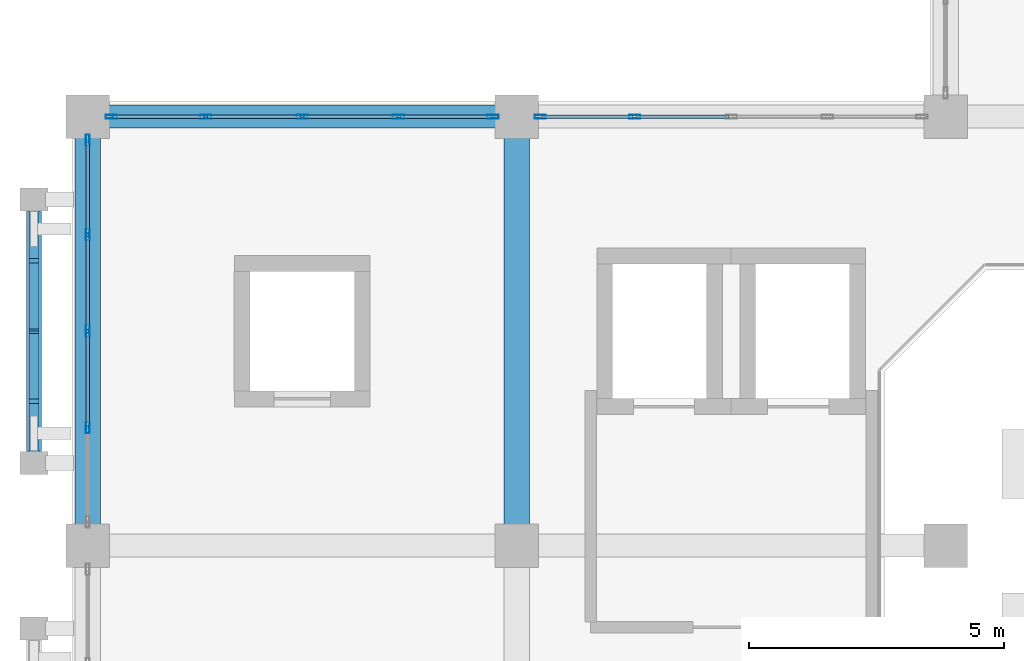
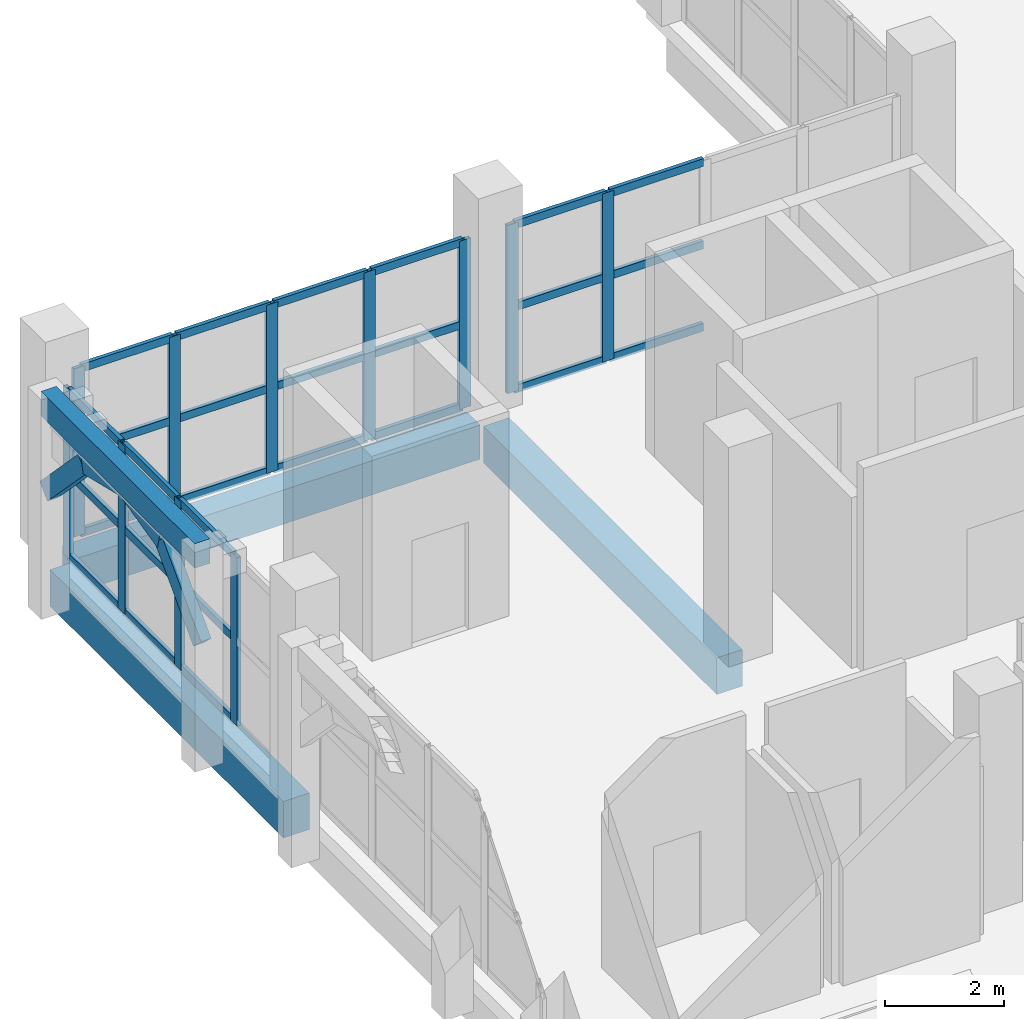
# One storey, part 56 of 137: 42 members, 4 beams, 3 elements without a shape of their own.
"""IFC4 building model written with IfcOpenShell, lengths in metres."""

from ifc_helpers import new_model, si_unit, direction, frame, origin, origin_2d, place, context, subcontext, project, spatial, rectangle, hollow_rectangle, extrude, material, layer, layer_set, material_profile, profile_set, type_object, element, aggregate, save


model = new_model("IFC4")

# Units and contexts
model_context = context("Model", 3, precision=1e-05, world=origin(), true_north=direction((0.0, 1.0)))
body_context = subcontext(model_context, "Body", "Model", "MODEL_VIEW")
ifc_project = project(units=[si_unit("LENGTHUNIT", "METRE"), si_unit("AREAUNIT", "SQUARE_METRE"), si_unit("VOLUMEUNIT", "CUBIC_METRE"), si_unit("PLANEANGLEUNIT", "RADIAN"), si_unit("MASSUNIT", "GRAM", prefix="KILO")], contexts=[model_context])

# Site, building, storey
site_placement = place(None, origin())
site = spatial("IfcSite", under=ifc_project, at=site_placement, CompositionType="ELEMENT")
building_placement = place(site_placement, origin())
building = spatial("IfcBuilding", under=site, at=building_placement, Name="Xazarin Passage Department Store", CompositionType="ELEMENT")
storey_placement = place(building_placement, frame((0.0, 0.0, 5.39990234375)))
storey = spatial("IfcBuildingStorey", under=building, at=storey_placement, Name="L01", CompositionType="ELEMENT", Elevation=5.39990234375)

# Curtain wall, members
ifc_material_1 = material(Name="Bronze anodised aluminium", Category="aluminium")
ifc_layer = layer(ifc_material_1, 0.179931640625)
ifc_layer_set = layer_set([ifc_layer], Name="Bronze anodised aluminium")
curtain_wall_type = type_object("IfcCurtainWallType", Name="ARC-CW-VIT1", PredefinedType="NOTDEFINED", material=ifc_layer_set)
curtain_wall_1_placement = place(storey_placement, origin())
curtain_wall_1 = element("IfcCurtainWall", 1, at=curtain_wall_1_placement, inside=storey, type_object=curtain_wall_type, Name="L01 V1 Curtain Wall 012", PredefinedType="NOTDEFINED")
ifc_material_profile_1 = material_profile(ifc_material_1, hollow_rectangle(XDim=0.074951171875, YDim=0.219970703125, WallThickness=0.0048828125, at=origin_2d()), Name="ALU 75x220")
ifc_profile_set_1 = profile_set([ifc_material_profile_1], Name="Bronze anodised aluminium")
member_type_1 = type_object("IfcMemberType", Name="ARC-CWM-75x220", PredefinedType="MULLION", material=ifc_profile_set_1)
member_1_placement = place(storey_placement, frame((0.46240234375, 101.60009765625, 0.0), z_axis=(0.0, 0.0, 1.0), x_axis=(0.0, 1.0, 0.0)))
member_1 = element("IfcMember", 2, at=member_1_placement, type_object=member_type_1, Name="CW1 mullion 1", PredefinedType="MULLION", context=body_context, shape_type="SweptSolid", body=[
    extrude(hollow_rectangle(XDim=0.074951171875, YDim=0.219970703125, WallThickness=0.0048828125, at=origin_2d()), origin(), (0.0, 0.0, 1.0), 3.4501953125),
])
member_2_placement = place(storey_placement, frame((2.3125, 101.60009765625, 0.0), z_axis=(0.0, 0.0, 1.0), x_axis=(0.0, 1.0, 0.0)))
member_2 = element("IfcMember", 3, at=member_2_placement, type_object=member_type_1, Name="CW1 mullion 2", PredefinedType="MULLION", context=body_context, shape_type="SweptSolid", body=[
    extrude(hollow_rectangle(XDim=0.074951171875, YDim=0.219970703125, WallThickness=0.0048828125, at=origin_2d()), origin(), (0.0, 0.0, 1.0), 3.4501953125),
])
member_3_placement = place(storey_placement, frame((4.199951171875, 101.60009765625, 0.0), z_axis=(0.0, 0.0, 1.0), x_axis=(0.0, 1.0, 0.0)))
member_3 = element("IfcMember", 4, at=member_3_placement, type_object=member_type_1, Name="CW1 mullion 3", PredefinedType="MULLION", context=body_context, shape_type="SweptSolid", body=[
    extrude(hollow_rectangle(XDim=0.074951171875, YDim=0.219970703125, WallThickness=0.0048828125, at=origin_2d()), origin(), (0.0, 0.0, 1.0), 3.4501953125),
])
member_4_placement = place(storey_placement, frame((6.08740234375, 101.60009765625, 0.0), z_axis=(0.0, 0.0, 1.0), x_axis=(0.0, 1.0, 0.0)))
member_4 = element("IfcMember", 5, at=member_4_placement, type_object=member_type_1, Name="CW1 mullion 4", PredefinedType="MULLION", context=body_context, shape_type="SweptSolid", body=[
    extrude(hollow_rectangle(XDim=0.074951171875, YDim=0.219970703125, WallThickness=0.0048828125, at=origin_2d()), origin(), (0.0, 0.0, 1.0), 3.4501953125),
])
member_5_placement = place(storey_placement, frame((7.9375, 101.60009765625, 0.0), z_axis=(0.0, 0.0, 1.0), x_axis=(0.0, 1.0, 0.0)))
member_5 = element("IfcMember", 6, at=member_5_placement, type_object=member_type_1, Name="CW1 mullion 5", PredefinedType="MULLION", context=body_context, shape_type="SweptSolid", body=[
    extrude(hollow_rectangle(XDim=0.074951171875, YDim=0.219970703125, WallThickness=0.0048828125, at=origin_2d()), origin(), (0.0, 0.0, 1.0), 3.4501953125),
])

curtain_wall_2_placement = place(storey_placement, origin())
curtain_wall_2 = element("IfcCurtainWall", 7, at=curtain_wall_2_placement, inside=storey, type_object=curtain_wall_type, Name="L01 V1 Curtain Wall 013", PredefinedType="NOTDEFINED")
member_6_placement = place(storey_placement, frame((8.862548828125, 101.60009765625, 0.0), z_axis=(0.0, 0.0, 1.0), x_axis=(0.0, 1.0, 0.0)))
member_6 = element("IfcMember", 8, at=member_6_placement, type_object=member_type_1, Name="CW1 mullion 1", PredefinedType="MULLION", context=body_context, shape_type="SweptSolid", body=[
    extrude(hollow_rectangle(XDim=0.074951171875, YDim=0.219970703125, WallThickness=0.0048828125, at=origin_2d()), origin(), (0.0, 0.0, 1.0), 3.4501953125),
])
member_7_placement = place(storey_placement, frame((10.71240234375, 101.60009765625, 0.0), z_axis=(0.0, 0.0, 1.0), x_axis=(0.0, 1.0, 0.0)))
member_7 = element("IfcMember", 9, at=member_7_placement, type_object=member_type_1, Name="CW1 mullion 2", PredefinedType="MULLION", context=body_context, shape_type="SweptSolid", body=[
    extrude(hollow_rectangle(XDim=0.074951171875, YDim=0.219970703125, WallThickness=0.0048828125, at=origin_2d()), origin(), (0.0, 0.0, 1.0), 3.4501953125),
])

curtain_wall_3_placement = place(storey_placement, origin())
curtain_wall_3 = element("IfcCurtainWall", 10, at=curtain_wall_3_placement, inside=storey, type_object=curtain_wall_type, Name="L01 V1 Curtain Wall 023", PredefinedType="NOTDEFINED")
member_8_placement = place(storey_placement, frame((0.0, 95.512451171875, 0.0), z_axis=(0.0, 0.0, 1.0), x_axis=(-1.0, 0.0, 0.0)))
member_8 = element("IfcMember", 11, at=member_8_placement, type_object=member_type_1, Name="CW1 mullion 2", PredefinedType="MULLION", context=body_context, shape_type="SweptSolid", body=[
    extrude(hollow_rectangle(XDim=0.074951171875, YDim=0.219970703125, WallThickness=0.0048828125, at=origin_2d()), origin(), (0.0, 0.0, 1.0), 3.4501953125),
])
member_9_placement = place(storey_placement, frame((0.0, 97.39990234375, 0.0), z_axis=(0.0, 0.0, 1.0), x_axis=(-1.0, 0.0, 0.0)))
member_9 = element("IfcMember", 12, at=member_9_placement, type_object=member_type_1, Name="CW1 mullion 3", PredefinedType="MULLION", context=body_context, shape_type="SweptSolid", body=[
    extrude(hollow_rectangle(XDim=0.074951171875, YDim=0.219970703125, WallThickness=0.0048828125, at=origin_2d()), origin(), (0.0, 0.0, 1.0), 3.4501953125),
])
member_10_placement = place(storey_placement, frame((0.0, 99.28759765625, 0.0), z_axis=(0.0, 0.0, 1.0), x_axis=(-1.0, 0.0, 0.0)))
member_10 = element("IfcMember", 13, at=member_10_placement, type_object=member_type_1, Name="CW1 mullion 4", PredefinedType="MULLION", context=body_context, shape_type="SweptSolid", body=[
    extrude(hollow_rectangle(XDim=0.074951171875, YDim=0.219970703125, WallThickness=0.0048828125, at=origin_2d()), origin(), (0.0, 0.0, 1.0), 3.4501953125),
])
member_11_placement = place(storey_placement, frame((0.0, 101.137451171875, 0.0), z_axis=(0.0, 0.0, 1.0), x_axis=(-1.0, 0.0, 0.0)))
member_11 = element("IfcMember", 14, at=member_11_placement, type_object=member_type_1, Name="CW1 mullion 5", PredefinedType="MULLION", context=body_context, shape_type="SweptSolid", body=[
    extrude(hollow_rectangle(XDim=0.074951171875, YDim=0.219970703125, WallThickness=0.0048828125, at=origin_2d()), origin(), (0.0, 0.0, 1.0), 3.4501953125),
])

# Member
ifc_material_profile_2 = material_profile(ifc_material_1, hollow_rectangle(XDim=0.074951171875, YDim=0.159912109375, WallThickness=0.00439453125, at=origin_2d()), Name="ALU 75x160")
ifc_profile_set_2 = profile_set([ifc_material_profile_2], Name="Bronze anodised aluminium")
member_type_2 = type_object("IfcMemberType", Name="ARC-CWT-75x160", PredefinedType="USERDEFINED", material=ifc_profile_set_2)
member_12_placement = place(storey_placement, frame((0.5, 101.60009765625, 0.03759765625), z_axis=(1.0, 0.0, 0.0), x_axis=(0.0, 1.0, 0.0)))
member_12 = element("IfcMember", 15, at=member_12_placement, type_object=member_type_2, Name="CW1 transom 1.1", ObjectType="TRANSOM", PredefinedType="USERDEFINED", context=body_context, shape_type="SweptSolid", body=[
    extrude(hollow_rectangle(XDim=0.074951171875, YDim=0.159912109375, WallThickness=0.00439453125, at=origin_2d()), origin(), (0.0, 0.0, 1.0), 1.77490234375),
])

member_13_placement = place(storey_placement, frame((0.5, 101.60009765625, 1.72509765625), z_axis=(1.0, 0.0, 0.0), x_axis=(0.0, 1.0, 0.0)))
member_13 = element("IfcMember", 16, at=member_13_placement, type_object=member_type_2, Name="CW1 transom 1.2", ObjectType="TRANSOM", PredefinedType="USERDEFINED", context=body_context, shape_type="SweptSolid", body=[
    extrude(hollow_rectangle(XDim=0.074951171875, YDim=0.159912109375, WallThickness=0.00439453125, at=origin_2d()), origin(), (0.0, 0.0, 1.0), 1.77490234375),
])

member_14_placement = place(storey_placement, frame((0.5, 101.60009765625, 3.41259765625), z_axis=(1.0, 0.0, 0.0), x_axis=(0.0, 1.0, 0.0)))
member_14 = element("IfcMember", 17, at=member_14_placement, type_object=member_type_2, Name="CW1 transom 1.3", ObjectType="TRANSOM", PredefinedType="USERDEFINED", context=body_context, shape_type="SweptSolid", body=[
    extrude(hollow_rectangle(XDim=0.074951171875, YDim=0.159912109375, WallThickness=0.00439453125, at=origin_2d()), origin(), (0.0, 0.0, 1.0), 1.77490234375),
])

member_15_placement = place(storey_placement, frame((2.35009765625, 101.60009765625, 0.03759765625), z_axis=(1.0, 0.0, 0.0), x_axis=(0.0, 1.0, 0.0)))
member_15 = element("IfcMember", 18, at=member_15_placement, type_object=member_type_2, Name="CW1 transom 2.1", ObjectType="TRANSOM", PredefinedType="USERDEFINED", context=body_context, shape_type="SweptSolid", body=[
    extrude(hollow_rectangle(XDim=0.074951171875, YDim=0.159912109375, WallThickness=0.00439453125, at=origin_2d()), origin(), (0.0, 0.0, 1.0), 1.8125),
])

member_16_placement = place(storey_placement, frame((2.35009765625, 101.60009765625, 1.72509765625), z_axis=(1.0, 0.0, 0.0), x_axis=(0.0, 1.0, 0.0)))
member_16 = element("IfcMember", 19, at=member_16_placement, type_object=member_type_2, Name="CW1 transom 2.2", ObjectType="TRANSOM", PredefinedType="USERDEFINED", context=body_context, shape_type="SweptSolid", body=[
    extrude(hollow_rectangle(XDim=0.074951171875, YDim=0.159912109375, WallThickness=0.00439453125, at=origin_2d()), origin(), (0.0, 0.0, 1.0), 1.8125),
])

member_17_placement = place(storey_placement, frame((2.35009765625, 101.60009765625, 3.41259765625), z_axis=(1.0, 0.0, 0.0), x_axis=(0.0, 1.0, 0.0)))
member_17 = element("IfcMember", 20, at=member_17_placement, type_object=member_type_2, Name="CW1 transom 2.3", ObjectType="TRANSOM", PredefinedType="USERDEFINED", context=body_context, shape_type="SweptSolid", body=[
    extrude(hollow_rectangle(XDim=0.074951171875, YDim=0.159912109375, WallThickness=0.00439453125, at=origin_2d()), origin(), (0.0, 0.0, 1.0), 1.8125),
])

member_18_placement = place(storey_placement, frame((4.237548828125, 101.60009765625, 0.03759765625), z_axis=(1.0, 0.0, 0.0), x_axis=(0.0, 1.0, 0.0)))
member_18 = element("IfcMember", 21, at=member_18_placement, type_object=member_type_2, Name="CW1 transom 3.1", ObjectType="TRANSOM", PredefinedType="USERDEFINED", context=body_context, shape_type="SweptSolid", body=[
    extrude(hollow_rectangle(XDim=0.074951171875, YDim=0.159912109375, WallThickness=0.00439453125, at=origin_2d()), origin(), (0.0, 0.0, 1.0), 1.8125),
])

member_19_placement = place(storey_placement, frame((4.237548828125, 101.60009765625, 1.72509765625), z_axis=(1.0, 0.0, 0.0), x_axis=(0.0, 1.0, 0.0)))
member_19 = element("IfcMember", 22, at=member_19_placement, type_object=member_type_2, Name="CW1 transom 3.2", ObjectType="TRANSOM", PredefinedType="USERDEFINED", context=body_context, shape_type="SweptSolid", body=[
    extrude(hollow_rectangle(XDim=0.074951171875, YDim=0.159912109375, WallThickness=0.00439453125, at=origin_2d()), origin(), (0.0, 0.0, 1.0), 1.8125),
])

member_20_placement = place(storey_placement, frame((4.237548828125, 101.60009765625, 3.41259765625), z_axis=(1.0, 0.0, 0.0), x_axis=(0.0, 1.0, 0.0)))
member_20 = element("IfcMember", 23, at=member_20_placement, type_object=member_type_2, Name="CW1 transom 3.3", ObjectType="TRANSOM", PredefinedType="USERDEFINED", context=body_context, shape_type="SweptSolid", body=[
    extrude(hollow_rectangle(XDim=0.074951171875, YDim=0.159912109375, WallThickness=0.00439453125, at=origin_2d()), origin(), (0.0, 0.0, 1.0), 1.8125),
])

member_21_placement = place(storey_placement, frame((6.125, 101.60009765625, 0.03759765625), z_axis=(1.0, 0.0, 0.0), x_axis=(0.0, 1.0, 0.0)))
member_21 = element("IfcMember", 24, at=member_21_placement, type_object=member_type_2, Name="CW1 transom 4.1", ObjectType="TRANSOM", PredefinedType="USERDEFINED", context=body_context, shape_type="SweptSolid", body=[
    extrude(hollow_rectangle(XDim=0.074951171875, YDim=0.159912109375, WallThickness=0.00439453125, at=origin_2d()), origin(), (0.0, 0.0, 1.0), 1.77490234375),
])

member_22_placement = place(storey_placement, frame((6.125, 101.60009765625, 1.72509765625), z_axis=(1.0, 0.0, 0.0), x_axis=(0.0, 1.0, 0.0)))
member_22 = element("IfcMember", 25, at=member_22_placement, type_object=member_type_2, Name="CW1 transom 4.2", ObjectType="TRANSOM", PredefinedType="USERDEFINED", context=body_context, shape_type="SweptSolid", body=[
    extrude(hollow_rectangle(XDim=0.074951171875, YDim=0.159912109375, WallThickness=0.00439453125, at=origin_2d()), origin(), (0.0, 0.0, 1.0), 1.77490234375),
])

member_23_placement = place(storey_placement, frame((6.125, 101.60009765625, 3.41259765625), z_axis=(1.0, 0.0, 0.0), x_axis=(0.0, 1.0, 0.0)))
member_23 = element("IfcMember", 26, at=member_23_placement, type_object=member_type_2, Name="CW1 transom 4.3", ObjectType="TRANSOM", PredefinedType="USERDEFINED", context=body_context, shape_type="SweptSolid", body=[
    extrude(hollow_rectangle(XDim=0.074951171875, YDim=0.159912109375, WallThickness=0.00439453125, at=origin_2d()), origin(), (0.0, 0.0, 1.0), 1.77490234375),
])

aggregate(curtain_wall_1, [member_1, member_2, member_3, member_4, member_5, member_12, member_13, member_14, member_15, member_16, member_17, member_18, member_19, member_20, member_21, member_22, member_23])

member_24_placement = place(storey_placement, frame((8.89990234375, 101.60009765625, 0.03759765625), z_axis=(1.0, 0.0, 0.0), x_axis=(0.0, 1.0, 0.0)))
member_24 = element("IfcMember", 27, at=member_24_placement, type_object=member_type_2, Name="CW1 transom 1.1", ObjectType="TRANSOM", PredefinedType="USERDEFINED", context=body_context, shape_type="SweptSolid", body=[
    extrude(hollow_rectangle(XDim=0.074951171875, YDim=0.159912109375, WallThickness=0.00439453125, at=origin_2d()), origin(), (0.0, 0.0, 1.0), 1.775146484375),
])

member_25_placement = place(storey_placement, frame((8.89990234375, 101.60009765625, 1.72509765625), z_axis=(1.0, 0.0, 0.0), x_axis=(0.0, 1.0, 0.0)))
member_25 = element("IfcMember", 28, at=member_25_placement, type_object=member_type_2, Name="CW1 transom 1.2", ObjectType="TRANSOM", PredefinedType="USERDEFINED", context=body_context, shape_type="SweptSolid", body=[
    extrude(hollow_rectangle(XDim=0.074951171875, YDim=0.159912109375, WallThickness=0.00439453125, at=origin_2d()), origin(), (0.0, 0.0, 1.0), 1.775146484375),
])

member_26_placement = place(storey_placement, frame((8.89990234375, 101.60009765625, 3.41259765625), z_axis=(1.0, 0.0, 0.0), x_axis=(0.0, 1.0, 0.0)))
member_26 = element("IfcMember", 29, at=member_26_placement, type_object=member_type_2, Name="CW1 transom 1.3", ObjectType="TRANSOM", PredefinedType="USERDEFINED", context=body_context, shape_type="SweptSolid", body=[
    extrude(hollow_rectangle(XDim=0.074951171875, YDim=0.159912109375, WallThickness=0.00439453125, at=origin_2d()), origin(), (0.0, 0.0, 1.0), 1.775146484375),
])

member_27_placement = place(storey_placement, frame((10.75, 101.60009765625, 0.03759765625), z_axis=(1.0, 0.0, 0.0), x_axis=(0.0, 1.0, 0.0)))
member_27 = element("IfcMember", 30, at=member_27_placement, type_object=member_type_2, Name="CW1 transom 2.1", ObjectType="TRANSOM", PredefinedType="USERDEFINED", context=body_context, shape_type="SweptSolid", body=[
    extrude(hollow_rectangle(XDim=0.074951171875, YDim=0.159912109375, WallThickness=0.00439453125, at=origin_2d()), origin(), (0.0, 0.0, 1.0), 1.8125),
])

member_28_placement = place(storey_placement, frame((10.75, 101.60009765625, 1.72509765625), z_axis=(1.0, 0.0, 0.0), x_axis=(0.0, 1.0, 0.0)))
member_28 = element("IfcMember", 31, at=member_28_placement, type_object=member_type_2, Name="CW1 transom 2.2", ObjectType="TRANSOM", PredefinedType="USERDEFINED", context=body_context, shape_type="SweptSolid", body=[
    extrude(hollow_rectangle(XDim=0.074951171875, YDim=0.159912109375, WallThickness=0.00439453125, at=origin_2d()), origin(), (0.0, 0.0, 1.0), 1.8125),
])

member_29_placement = place(storey_placement, frame((10.75, 101.60009765625, 3.41259765625), z_axis=(1.0, 0.0, 0.0), x_axis=(0.0, 1.0, 0.0)))
member_29 = element("IfcMember", 32, at=member_29_placement, type_object=member_type_2, Name="CW1 transom 2.3", ObjectType="TRANSOM", PredefinedType="USERDEFINED", context=body_context, shape_type="SweptSolid", body=[
    extrude(hollow_rectangle(XDim=0.074951171875, YDim=0.159912109375, WallThickness=0.00439453125, at=origin_2d()), origin(), (0.0, 0.0, 1.0), 1.8125),
])

aggregate(curtain_wall_2, [member_6, member_7, member_24, member_25, member_26, member_27, member_28, member_29])

member_30_placement = place(storey_placement, frame((0.0, 95.550048828125, 0.03759765625), z_axis=(0.0, 1.0, 0.0), x_axis=(-1.0, 0.0, 0.0)))
member_30 = element("IfcMember", 33, at=member_30_placement, type_object=member_type_2, Name="CW1 transom 2.1", ObjectType="TRANSOM", PredefinedType="USERDEFINED", context=body_context, shape_type="SweptSolid", body=[
    extrude(hollow_rectangle(XDim=0.074951171875, YDim=0.159912109375, WallThickness=0.00439453125, at=origin_2d()), origin(), (0.0, 0.0, 1.0), 1.8125),
])

member_31_placement = place(storey_placement, frame((0.0, 95.550048828125, 1.72509765625), z_axis=(0.0, 1.0, 0.0), x_axis=(-1.0, 0.0, 0.0)))
member_31 = element("IfcMember", 34, at=member_31_placement, type_object=member_type_2, Name="CW1 transom 2.2", ObjectType="TRANSOM", PredefinedType="USERDEFINED", context=body_context, shape_type="SweptSolid", body=[
    extrude(hollow_rectangle(XDim=0.074951171875, YDim=0.159912109375, WallThickness=0.00439453125, at=origin_2d()), origin(), (0.0, 0.0, 1.0), 1.8125),
])

member_32_placement = place(storey_placement, frame((0.0, 95.550048828125, 3.41259765625), z_axis=(0.0, 1.0, 0.0), x_axis=(-1.0, 0.0, 0.0)))
member_32 = element("IfcMember", 35, at=member_32_placement, type_object=member_type_2, Name="CW1 transom 2.3", ObjectType="TRANSOM", PredefinedType="USERDEFINED", context=body_context, shape_type="SweptSolid", body=[
    extrude(hollow_rectangle(XDim=0.074951171875, YDim=0.159912109375, WallThickness=0.00439453125, at=origin_2d()), origin(), (0.0, 0.0, 1.0), 1.8125),
])

member_33_placement = place(storey_placement, frame((0.0, 97.4375, 0.03759765625), z_axis=(0.0, 1.0, 0.0), x_axis=(-1.0, 0.0, 0.0)))
member_33 = element("IfcMember", 36, at=member_33_placement, type_object=member_type_2, Name="CW1 transom 3.1", ObjectType="TRANSOM", PredefinedType="USERDEFINED", context=body_context, shape_type="SweptSolid", body=[
    extrude(hollow_rectangle(XDim=0.074951171875, YDim=0.159912109375, WallThickness=0.00439453125, at=origin_2d()), origin(), (0.0, 0.0, 1.0), 1.8125),
])

member_34_placement = place(storey_placement, frame((0.0, 97.4375, 1.72509765625), z_axis=(0.0, 1.0, 0.0), x_axis=(-1.0, 0.0, 0.0)))
member_34 = element("IfcMember", 37, at=member_34_placement, type_object=member_type_2, Name="CW1 transom 3.2", ObjectType="TRANSOM", PredefinedType="USERDEFINED", context=body_context, shape_type="SweptSolid", body=[
    extrude(hollow_rectangle(XDim=0.074951171875, YDim=0.159912109375, WallThickness=0.00439453125, at=origin_2d()), origin(), (0.0, 0.0, 1.0), 1.8125),
])

member_35_placement = place(storey_placement, frame((0.0, 97.4375, 3.41259765625), z_axis=(0.0, 1.0, 0.0), x_axis=(-1.0, 0.0, 0.0)))
member_35 = element("IfcMember", 38, at=member_35_placement, type_object=member_type_2, Name="CW1 transom 3.3", ObjectType="TRANSOM", PredefinedType="USERDEFINED", context=body_context, shape_type="SweptSolid", body=[
    extrude(hollow_rectangle(XDim=0.074951171875, YDim=0.159912109375, WallThickness=0.00439453125, at=origin_2d()), origin(), (0.0, 0.0, 1.0), 1.8125),
])

member_36_placement = place(storey_placement, frame((0.0, 99.324951171875, 0.03759765625), z_axis=(0.0, 1.0, 0.0), x_axis=(-1.0, 0.0, 0.0)))
member_36 = element("IfcMember", 39, at=member_36_placement, type_object=member_type_2, Name="CW1 transom 4.1", ObjectType="TRANSOM", PredefinedType="USERDEFINED", context=body_context, shape_type="SweptSolid", body=[
    extrude(hollow_rectangle(XDim=0.074951171875, YDim=0.159912109375, WallThickness=0.00439453125, at=origin_2d()), origin(), (0.0, 0.0, 1.0), 1.775146484375),
])

member_37_placement = place(storey_placement, frame((0.0, 99.324951171875, 1.72509765625), z_axis=(0.0, 1.0, 0.0), x_axis=(-1.0, 0.0, 0.0)))
member_37 = element("IfcMember", 40, at=member_37_placement, type_object=member_type_2, Name="CW1 transom 4.2", ObjectType="TRANSOM", PredefinedType="USERDEFINED", context=body_context, shape_type="SweptSolid", body=[
    extrude(hollow_rectangle(XDim=0.074951171875, YDim=0.159912109375, WallThickness=0.00439453125, at=origin_2d()), origin(), (0.0, 0.0, 1.0), 1.775146484375),
])

member_38_placement = place(storey_placement, frame((0.0, 99.324951171875, 3.41259765625), z_axis=(0.0, 1.0, 0.0), x_axis=(-1.0, 0.0, 0.0)))
member_38 = element("IfcMember", 41, at=member_38_placement, type_object=member_type_2, Name="CW1 transom 4.3", ObjectType="TRANSOM", PredefinedType="USERDEFINED", context=body_context, shape_type="SweptSolid", body=[
    extrude(hollow_rectangle(XDim=0.074951171875, YDim=0.159912109375, WallThickness=0.00439453125, at=origin_2d()), origin(), (0.0, 0.0, 1.0), 1.775146484375),
])

aggregate(curtain_wall_3, [member_8, member_9, member_10, member_11, member_30, member_31, member_32, member_33, member_34, member_35, member_36, member_37, member_38])

# Beams
ifc_material_2 = material(Name="Concrete C35/45", Category="concrete")
ifc_material_profile_3 = material_profile(ifc_material_2, rectangle(XDim=0.449951171875, YDim=0.699951171875, at=origin_2d()), Name="RC 450x700")
ifc_profile_set_3 = profile_set([ifc_material_profile_3], Name="Concrete C35/45")
beam_type_1 = type_object("IfcBeamType", Name="STR-BM-G450x700", PredefinedType="BEAM", material=ifc_profile_set_3)
beam_1_placement = place(storey_placement, frame((0.280029296875, 101.60009765625, -0.64990234375), z_axis=(1.0, 0.0, 0.0), x_axis=(0.0, 1.0, 0.0)))
element("IfcBeam", 42, at=beam_1_placement, inside=storey, type_object=beam_type_1, Name="L01 Grid Beam P/1-2", PredefinedType="BEAM", context=body_context, shape_type="SweptSolid", body=[
    extrude(rectangle(XDim=0.449951171875, YDim=0.699951171875, at=origin_2d()), origin(), (0.0, 0.0, 1.0), 7.840087890625),
])
ifc_material_profile_4 = material_profile(ifc_material_2, rectangle(XDim=0.300048828125, YDim=0.5, at=origin_2d()), Name="RC 300x500")
ifc_profile_set_4 = profile_set([ifc_material_profile_4], Name="Concrete C35/45")
beam_type_2 = type_object("IfcBeamType", Name="STR-BM-LN300x500", PredefinedType="LINTEL", material=ifc_profile_set_4)
beam_2_placement = place(storey_placement, frame((-1.050048828125, 94.820068359375, 4.25), z_axis=(0.0, 1.0, 0.0), x_axis=(-1.0, 0.0, 0.0)))
element("IfcBeam", 43, at=beam_2_placement, inside=storey, type_object=beam_type_2, Name="L01 V1 Colonnade Spandrel Beam 013", PredefinedType="LINTEL", context=body_context, shape_type="SweptSolid", body=[
    extrude(rectangle(XDim=0.300048828125, YDim=0.5, at=origin_2d()), origin(), (0.0, 0.0, 1.0), 5.159912109375),
])
ifc_material_profile_5 = material_profile(ifc_material_2, rectangle(XDim=0.5, YDim=0.75, at=origin_2d()), Name="RC 500x750")
ifc_profile_set_5 = profile_set([ifc_material_profile_5], Name="Concrete C35/45")
beam_type_3 = type_object("IfcBeamType", Name="STR-BM-SP500x750", PredefinedType="SPANDREL", material=ifc_profile_set_5)
for number, where, z_axis, x_axis, name in (
    (44, (0.0, 93.47998046875, -0.6748046875), (0.0, 1.0, 0.0), (-1.0, 0.0, 0.0), "L01 Grid Beam 1/N-P"),
    (45, (8.39990234375, 93.47998046875, -0.6748046875), (0.0, 1.0, 0.0), (-1.0, 0.0, 0.0), "L01 Grid Beam 2/N-P"),
):
    element("IfcBeam", number, at=place(storey_placement, frame(where, z_axis=z_axis, x_axis=x_axis)), inside=storey, type_object=beam_type_3, Name=name, PredefinedType="SPANDREL", context=body_context, shape_type="SweptSolid", body=[
        extrude(rectangle(XDim=0.5, YDim=0.75, at=origin_2d()), origin(), (0.0, 0.0, 1.0), 7.840087890625),
    ])

# Members
ifc_material_3 = material(Name="Concrete C40/50", Category="concrete")
ifc_material_profile_6 = material_profile(ifc_material_3, rectangle(XDim=0.199951171875, YDim=0.360107421875, at=origin_2d()), Name="RC 200x360")
ifc_profile_set_6 = profile_set([ifc_material_profile_6], Name="Concrete C40/50")
member_type_3 = type_object("IfcMemberType", Name="STR-MEM-ARC360", PredefinedType="CHORD", material=ifc_profile_set_6)
member_39_placement = place(storey_placement, frame((-1.050048828125, 94.820068359375, 2.43017578125), z_axis=(0.0, 0.693460080602, 0.720495049679), x_axis=(-1.0, 0.0, 0.0)))
element("IfcMember", 46, at=member_39_placement, inside=storey, type_object=member_type_3, Name="L01 V1 Pierced Lattice Curved Arch 013.1", PredefinedType="CHORD", context=body_context, shape_type="SweptSolid", body=[
    extrude(rectangle(XDim=0.199951171875, YDim=0.360107421875, at=origin_2d()), origin(), (0.0, 0.0, 1.0), 1.8603515625),
])
member_40_placement = place(storey_placement, frame((-1.050048828125, 96.110107421875, 3.7705078125), z_axis=(0.0, 0.972383960415, 0.233386875224), x_axis=(-1.0, 0.0, 0.0)))
element("IfcMember", 47, at=member_40_placement, inside=storey, type_object=member_type_3, Name="L01 V1 Pierced Lattice Curved Arch 013.2", PredefinedType="CHORD", context=body_context, shape_type="SweptSolid", body=[
    extrude(rectangle(XDim=0.199951171875, YDim=0.360107421875, at=origin_2d()), origin(), (0.0, 0.0, 1.0), 1.326416015625),
])
member_41_placement = place(storey_placement, frame((-1.050048828125, 97.39990234375, 4.080078125), z_axis=(0.0, 0.972393983317, -0.233345111818), x_axis=(-1.0, 0.0, 0.0)))
element("IfcMember", 48, at=member_41_placement, inside=storey, type_object=member_type_3, Name="L01 V1 Pierced Lattice Curved Arch 013.3", PredefinedType="CHORD", context=body_context, shape_type="SweptSolid", body=[
    extrude(rectangle(XDim=0.199951171875, YDim=0.360107421875, at=origin_2d()), origin(), (0.0, 0.0, 1.0), 1.32666015625),
])
member_42_placement = place(storey_placement, frame((-1.050048828125, 98.68994140625, 3.7705078125), z_axis=(0.0, 0.693460080602, -0.720495049679), x_axis=(-1.0, 0.0, 0.0)))
element("IfcMember", 49, at=member_42_placement, inside=storey, type_object=member_type_3, Name="L01 V1 Pierced Lattice Curved Arch 013.4", PredefinedType="CHORD", context=body_context, shape_type="SweptSolid", body=[
    extrude(rectangle(XDim=0.199951171875, YDim=0.360107421875, at=origin_2d()), origin(), (0.0, 0.0, 1.0), 1.8603515625),
])

save(model, "model.ifc")
